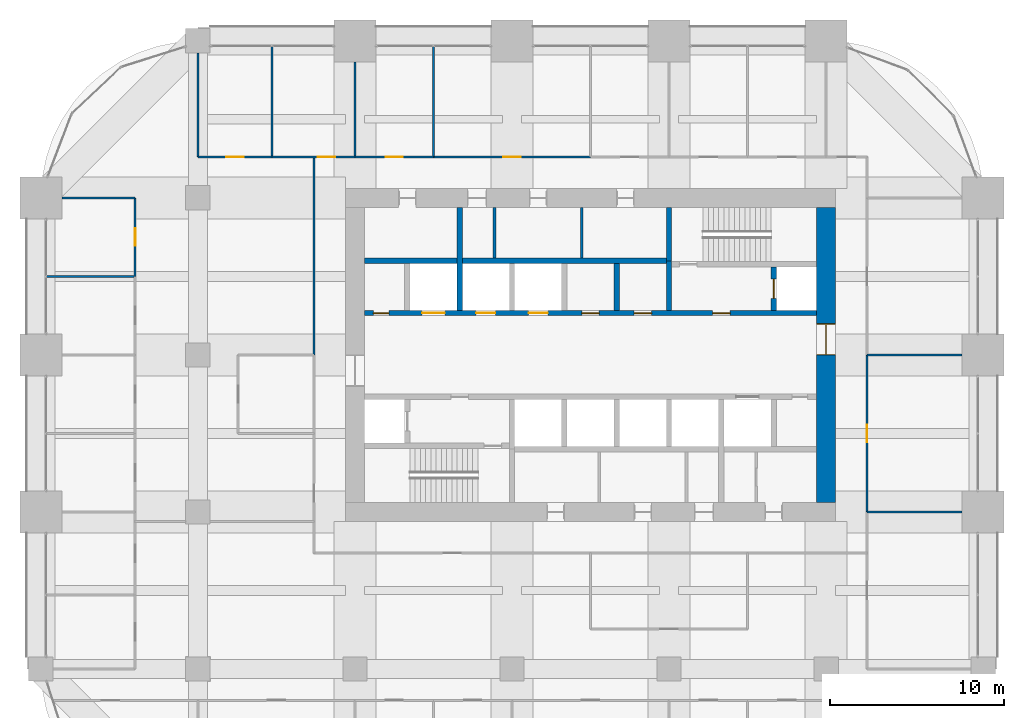
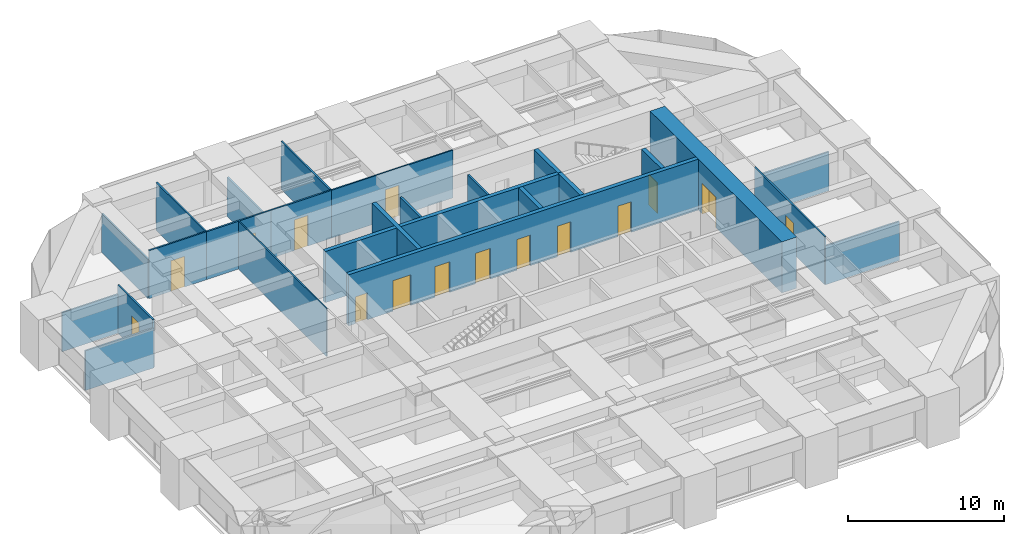
# One storey, part 32 of 35: 25 walls, 15 doors, 15 openings.
"""IFC4 building model written with IfcOpenShell, lengths in metres."""

from ifc_helpers import new_model, si_unit, direction, frame, frame_2d, origin, place, context, subcontext, project, spatial, rectangle, extrude, material, layer, layer_set, type_object, element, fill, save


model = new_model("IFC4")

# Units and contexts
model_context = context("Model", 3, precision=1e-05, world=origin(), true_north=direction((0.0, 1.0)))
body_context = subcontext(model_context, "Body", "Model", "MODEL_VIEW")
ifc_project = project(units=[si_unit("LENGTHUNIT", "METRE"), si_unit("AREAUNIT", "SQUARE_METRE"), si_unit("VOLUMEUNIT", "CUBIC_METRE"), si_unit("PLANEANGLEUNIT", "RADIAN"), si_unit("MASSUNIT", "GRAM", prefix="KILO")], contexts=[model_context])

# Site, building, storey
site_placement = place(None, origin())
site = spatial("IfcSite", under=ifc_project, at=site_placement, CompositionType="ELEMENT")
building_placement = place(site_placement, origin())
building = spatial("IfcBuilding", under=site, at=building_placement, Name="Zorevar Civic Tower", CompositionType="ELEMENT")
storey_placement = place(building_placement, frame((0.0, 0.0, 222.199951171875)))
storey = spatial("IfcBuildingStorey", under=building, at=storey_placement, Name="L54", CompositionType="ELEMENT", Elevation=222.199951171875)

# Wall, opening, door
ifc_material_1 = material(Name="Concrete C50/60", Category="concrete")
ifc_layer_1 = layer(ifc_material_1, 1.10009765625)
ifc_layer_set_1 = layer_set([ifc_layer_1], Name="Core wall 1100")
wall_type_1 = type_object("IfcWallType", Name="Core wall 1100", PredefinedType="SHEAR", material=ifc_layer_set_1)
wall_1_placement = place(storey_placement, frame((45.0, 18.550048828125, 0.0), z_axis=(0.0, 0.0, 1.0), x_axis=(0.0, 1.0, 0.0)))
wall_1 = element("IfcWall", 1, at=wall_1_placement, inside=storey, type_object=wall_type_1, Name="Core wall E L54", PredefinedType="SHEAR", context=body_context, shape_type="SweptSolid", body=[
    extrude(rectangle(XDim=16.89990234375, YDim=1.10009765625, at=frame_2d((8.449951171875, 0.0))), origin(), (0.0, 0.0, 1.0), 4.0),
])
opening_1_placement = place(wall_1_placement, frame((8.449951171875, 0.0, 0.0)))
opening_1 = element("IfcOpeningElement", 2, at=opening_1_placement, cuts=wall_1, Name="Opening L54.02", PredefinedType="OPENING", context=body_context, shape_type="SweptSolid", body=[
    extrude(rectangle(XDim=1.800048828125, YDim=2.39990234375, at=frame_2d((0.89990234375, 1.199951171875))), frame((0.0, 0.56005859375, 0.0), z_axis=(0.0, -1.0, 0.0), x_axis=(1.0, 0.0, 0.0)), (0.0, 0.0, 1.0), 1.1201171875),
])
ifc_material_2 = material(Name="Steel door set", Category="steel")
door_type_1 = type_object("IfcDoorType", Name="Fire door FD2 1800x2400", OperationType="DOUBLE_DOOR_DOUBLE_SWING", PredefinedType="DOOR", material=ifc_material_2)
door_1_placement = place(opening_1_placement, origin())
door_1 = element("IfcDoor", 3, at=door_1_placement, inside=storey, type_object=door_type_1, Name="Door L54 01", OperationType="DOUBLE_DOOR_DOUBLE_SWING", OverallHeight=2.39990234375, OverallWidth=1.800048828125, PredefinedType="DOOR", context=body_context, shape_type="SweptSolid", body=[
    extrude(rectangle(XDim=1.800048828125, YDim=2.39990234375, at=frame_2d((0.89990234375, 1.199951171875))), frame((0.0, 0.030029296875, 0.0), z_axis=(0.0, -1.0, 0.0), x_axis=(1.0, 0.0, 0.0)), (0.0, 0.0, 1.0), 0.06005859375),
    extrude(rectangle(XDim=0.04, YDim=2.39990234375, at=frame_2d((0.02001953125, 1.199951171875))), frame((0.0, 0.5498046875, 0.0), z_axis=(0.0, -1.0, 0.0), x_axis=(1.0, 0.0, 0.0)), (0.0, 0.0, 1.0), 1.099609375),
    extrude(rectangle(XDim=0.04, YDim=2.39990234375, at=frame_2d((1.780029296875, 1.199951171875))), frame((0.0, 0.5498046875, 0.0), z_axis=(0.0, -1.0, 0.0), x_axis=(1.0, 0.0, 0.0)), (0.0, 0.0, 1.0), 1.099609375),
    extrude(rectangle(XDim=1.800048828125, YDim=0.04, at=frame_2d((0.89990234375, 2.3798828125))), frame((0.0, 0.5498046875, 0.0), z_axis=(0.0, -1.0, 0.0), x_axis=(1.0, 0.0, 0.0)), (0.0, 0.0, 1.0), 1.099609375),
])
fill(opening_1, door_1)

ifc_material_3 = material(Name="Laminated glass in black aluminium frame", Category="aluminium")
ifc_layer_2 = layer(ifc_material_3, 0.10009765625)
ifc_layer_set_2 = layer_set([ifc_layer_2], Name="Glazed partition 100")
wall_type_2 = type_object("IfcWallType", Name="Glazed partition 100", PredefinedType="PARTITIONING", material=ifc_layer_set_2)
wall_2_placement = place(storey_placement, frame((22.5, 38.35009765625, 0.0), z_axis=(0.0, 0.0, 1.0), x_axis=(1.0, 0.0, 0.0)))
wall_2 = element("IfcWall", 4, at=wall_2_placement, inside=storey, type_object=wall_type_2, Name="Glazed partition 100 L54", PredefinedType="PARTITIONING", context=body_context, shape_type="SweptSolid", body=[
    extrude(rectangle(XDim=9.0, YDim=0.10009765625, at=frame_2d((4.5, 0.0))), origin(), (0.0, 0.0, 1.0), 3.75),
])
opening_2_placement = place(wall_2_placement, frame((4.0, 0.0, 0.0)))
opening_2 = element("IfcOpeningElement", 5, at=opening_2_placement, cuts=wall_2, Name="Opening L54.32", PredefinedType="OPENING", context=body_context, shape_type="SweptSolid", body=[
    extrude(rectangle(XDim=1.0, YDim=2.39990234375, at=frame_2d((0.5, 1.199951171875))), frame((0.0, 0.06005859375, 0.0), z_axis=(0.0, -1.0, 0.0), x_axis=(1.0, 0.0, 0.0)), (0.0, 0.0, 1.0), 0.1201171875),
])
ifc_material_4 = material(Name="Timber door set", Category="wood")
door_type_2 = type_object("IfcDoorType", Name="Glazed door GD1 1000x2400", OperationType="SINGLE_SWING_LEFT", PredefinedType="DOOR", material=ifc_material_4)
door_2_placement = place(opening_2_placement, origin())
door_2 = element("IfcDoor", 6, at=door_2_placement, inside=storey, type_object=door_type_2, Name="Door L54 D1", OperationType="SINGLE_SWING_RIGHT", OverallHeight=2.39990234375, OverallWidth=1.0, PredefinedType="DOOR", context=body_context, shape_type="SweptSolid", body=[
    extrude(rectangle(XDim=1.0, YDim=2.39990234375, at=frame_2d((0.5, 1.199951171875))), frame((0.0, 0.02001953125, 0.0), z_axis=(0.0, -1.0, 0.0), x_axis=(1.0, 0.0, 0.0)), (0.0, 0.0, 1.0), 0.0400390625),
])
fill(opening_2, door_2)

# Walls
wall_3_placement = place(storey_placement, frame((15.64990234375, 27.0, 0.0), z_axis=(0.0, 0.0, 1.0), x_axis=(0.0, 1.0, 0.0)))
element("IfcWall", 7, at=wall_3_placement, inside=storey, type_object=wall_type_2, Name="Glazed partition 100 L54", PredefinedType="PARTITIONING", context=body_context, shape_type="SweptSolid", body=[
    extrude(rectangle(XDim=11.35009765625, YDim=0.10009765625, at=frame_2d((5.675048828125, 0.0))), origin(), (0.0, 0.0, 1.0), 3.75),
])
ifc_material_5 = material(Name="Concrete C40/50", Category="concrete")
ifc_layer_3 = layer(ifc_material_5, 0.300048828125)
ifc_layer_set_3 = layer_set([ifc_layer_3], Name="Inner core wall 300")
wall_type_3 = type_object("IfcWallType", Name="Inner core wall 300", PredefinedType="SHEAR", material=ifc_layer_set_3)
wall_4_placement = place(storey_placement, frame((36.0, 32.39990234375, 0.0), z_axis=(0.0, 0.0, 1.0), x_axis=(0.0, 1.0, 0.0)))
element("IfcWall", 8, at=wall_4_placement, inside=storey, type_object=wall_type_3, Name="Inner core wall N01 L54", PredefinedType="SHEAR", context=body_context, shape_type="SweptSolid", body=[
    extrude(rectangle(XDim=3.050048828125, YDim=0.300048828125, at=frame_2d((1.52490234375, 0.0))), origin(), (0.0, 0.0, 1.0), 4.0),
])

# Wall, opening, door
wall_5_placement = place(storey_placement, frame((42.0, 29.550048828125, 0.0), z_axis=(0.0, 0.0, 1.0), x_axis=(0.0, 1.0, 0.0)))
wall_5 = element("IfcWall", 9, at=wall_5_placement, inside=storey, type_object=wall_type_3, Name="Inner core wall N02 L54", PredefinedType="SHEAR", context=body_context, shape_type="SweptSolid", body=[
    extrude(rectangle(XDim=2.5, YDim=0.300048828125, at=frame_2d((1.25, 0.0))), origin(), (0.0, 0.0, 1.0), 4.0),
])
opening_3_placement = place(wall_5_placement, frame((0.699951171875, 0.0, 0.0)))
opening_3 = element("IfcOpeningElement", 10, at=opening_3_placement, cuts=wall_5, Name="Opening L54.FL2", PredefinedType="OPENING", context=body_context, shape_type="SweptSolid", body=[
    extrude(rectangle(XDim=1.10009765625, YDim=2.39990234375, at=frame_2d((0.550048828125, 1.199951171875))), frame((0.0, 0.159912109375, 0.0), z_axis=(0.0, -1.0, 0.0), x_axis=(1.0, 0.0, 0.0)), (0.0, 0.0, 1.0), 0.320068359375),
])
ifc_material_6 = material(Name="Steel door set", Category="steel")
door_type_3 = type_object("IfcDoorType", Name="Firefighting lift landing door LD3 1100x2400", OperationType="DOUBLE_DOOR_SLIDING", PredefinedType="DOOR", material=ifc_material_6)
door_3_placement = place(opening_3_placement, origin())
door_3 = element("IfcDoor", 11, at=door_3_placement, inside=storey, type_object=door_type_3, Name="Landing door FL2 L54", OperationType="DOUBLE_DOOR_SLIDING", OverallHeight=2.39990234375, OverallWidth=1.10009765625, PredefinedType="DOOR", context=body_context, shape_type="SweptSolid", body=[
    extrude(rectangle(XDim=1.10009765625, YDim=2.39990234375, at=frame_2d((0.550048828125, 1.199951171875))), frame((0.0, 0.030029296875, 0.0), z_axis=(0.0, -1.0, 0.0), x_axis=(1.0, 0.0, 0.0)), (0.0, 0.0, 1.0), 0.06005859375),
])
fill(opening_3, door_3)

# Wall, openings, doors
wall_6_placement = place(storey_placement, frame((18.550048828125, 29.39990234375, 0.0), z_axis=(0.0, 0.0, 1.0), x_axis=(1.0, 0.0, 0.0)))
wall_6 = element("IfcWall", 12, at=wall_6_placement, inside=storey, type_object=wall_type_3, Name="Inner core wall N03 L54", PredefinedType="SHEAR", context=body_context, shape_type="SweptSolid", body=[
    extrude(rectangle(XDim=25.89990234375, YDim=0.300048828125, at=frame_2d((12.949951171875, 0.0))), origin(), (0.0, 0.0, 1.0), 4.0),
])
opening_4_placement = place(wall_6_placement, frame((19.949951171875, 0.0, 0.0)))
opening_4 = element("IfcOpeningElement", 13, at=opening_4_placement, cuts=wall_6, Name="Opening L54.14", PredefinedType="OPENING", context=body_context, shape_type="SweptSolid", body=[
    extrude(rectangle(XDim=1.0, YDim=2.39990234375, at=frame_2d((0.5, 1.199951171875))), frame((0.0, 0.159912109375, 0.0), z_axis=(0.0, -1.0, 0.0), x_axis=(1.0, 0.0, 0.0)), (0.0, 0.0, 1.0), 0.320068359375),
])
opening_5_placement = place(wall_6_placement, frame((0.5, 0.0, 0.0)))
opening_5 = element("IfcOpeningElement", 14, at=opening_5_placement, cuts=wall_6, Name="Opening L54.16", PredefinedType="OPENING", context=body_context, shape_type="SweptSolid", body=[
    extrude(rectangle(XDim=0.89990234375, YDim=2.10009765625, at=frame_2d((0.449951171875, 1.050048828125))), frame((0.0, 0.159912109375, 0.0), z_axis=(0.0, -1.0, 0.0), x_axis=(1.0, 0.0, 0.0)), (0.0, 0.0, 1.0), 0.320068359375),
])
opening_6_placement = place(wall_6_placement, frame((15.449951171875, 0.0, 0.0)))
opening_6 = element("IfcOpeningElement", 15, at=opening_6_placement, cuts=wall_6, Name="Opening L54.46", PredefinedType="OPENING", context=body_context, shape_type="SweptSolid", body=[
    extrude(rectangle(XDim=1.0, YDim=2.39990234375, at=frame_2d((0.5, 1.199951171875))), frame((0.0, 0.159912109375, 0.0), z_axis=(0.0, -1.0, 0.0), x_axis=(1.0, 0.0, 0.0)), (0.0, 0.0, 1.0), 0.320068359375),
])
opening_7_placement = place(wall_6_placement, frame((12.449951171875, 0.0, 0.0)))
opening_7 = element("IfcOpeningElement", 16, at=opening_7_placement, cuts=wall_6, Name="Opening L54.47", PredefinedType="OPENING", context=body_context, shape_type="SweptSolid", body=[
    extrude(rectangle(XDim=1.0, YDim=2.39990234375, at=frame_2d((0.5, 1.199951171875))), frame((0.0, 0.159912109375, 0.0), z_axis=(0.0, -1.0, 0.0), x_axis=(1.0, 0.0, 0.0)), (0.0, 0.0, 1.0), 0.320068359375),
])
opening_8_placement = place(wall_6_placement, frame((9.39990234375, 0.0, 0.0)))
opening_8 = element("IfcOpeningElement", 17, at=opening_8_placement, cuts=wall_6, Name="Opening L54.LH1", PredefinedType="OPENING", context=body_context, shape_type="SweptSolid", body=[
    extrude(rectangle(XDim=1.10009765625, YDim=2.39990234375, at=frame_2d((0.550048828125, 1.199951171875))), frame((0.0, 0.159912109375, 0.0), z_axis=(0.0, -1.0, 0.0), x_axis=(1.0, 0.0, 0.0)), (0.0, 0.0, 1.0), 0.320068359375),
])
opening_9_placement = place(wall_6_placement, frame((6.39990234375, 0.0, 0.0)))
opening_9 = element("IfcOpeningElement", 18, at=opening_9_placement, cuts=wall_6, Name="Opening L54.LH2", PredefinedType="OPENING", context=body_context, shape_type="SweptSolid", body=[
    extrude(rectangle(XDim=1.10009765625, YDim=2.39990234375, at=frame_2d((0.550048828125, 1.199951171875))), frame((0.0, 0.159912109375, 0.0), z_axis=(0.0, -1.0, 0.0), x_axis=(1.0, 0.0, 0.0)), (0.0, 0.0, 1.0), 0.320068359375),
])
opening_10_placement = place(wall_6_placement, frame((3.300048828125, 0.0, 0.0)))
opening_10 = element("IfcOpeningElement", 19, at=opening_10_placement, cuts=wall_6, Name="Opening L54.SL2", PredefinedType="OPENING", context=body_context, shape_type="SweptSolid", body=[
    extrude(rectangle(XDim=1.300048828125, YDim=2.39990234375, at=frame_2d((0.64990234375, 1.199951171875))), frame((0.0, 0.159912109375, 0.0), z_axis=(0.0, -1.0, 0.0), x_axis=(1.0, 0.0, 0.0)), (0.0, 0.0, 1.0), 0.320068359375),
])
ifc_material_7 = material(Name="Steel door set", Category="steel")
door_type_4 = type_object("IfcDoorType", Name="Fire door FD1 1000x2400", OperationType="SINGLE_SWING_LEFT", PredefinedType="DOOR", material=ifc_material_7)
door_4_placement = place(opening_4_placement, origin())
door_4 = element("IfcDoor", 20, at=door_4_placement, inside=storey, type_object=door_type_4, Name="Door L54 13", OperationType="SINGLE_SWING_RIGHT", OverallHeight=2.39990234375, OverallWidth=1.0, PredefinedType="DOOR", context=body_context, shape_type="SweptSolid", body=[
    extrude(rectangle(XDim=1.0, YDim=2.39990234375, at=frame_2d((0.5, 1.199951171875))), frame((0.0, 0.030029296875, 0.0), z_axis=(0.0, -1.0, 0.0), x_axis=(1.0, 0.0, 0.0)), (0.0, 0.0, 1.0), 0.06005859375),
])
fill(opening_4, door_4)
door_5_placement = place(opening_6_placement, origin())
door_5 = element("IfcDoor", 21, at=door_5_placement, inside=storey, type_object=door_type_4, Name="Door L54 LM1 shaft room", OperationType="SINGLE_SWING_LEFT", OverallHeight=2.39990234375, OverallWidth=1.0, PredefinedType="DOOR", context=body_context, shape_type="SweptSolid", body=[
    extrude(rectangle(XDim=1.0, YDim=2.39990234375, at=frame_2d((0.5, 1.199951171875))), frame((0.0, 0.030029296875, 0.0), z_axis=(0.0, -1.0, 0.0), x_axis=(1.0, 0.0, 0.0)), (0.0, 0.0, 1.0), 0.06005859375),
])
fill(opening_6, door_5)
door_6_placement = place(opening_7_placement, origin())
door_6 = element("IfcDoor", 22, at=door_6_placement, inside=storey, type_object=door_type_4, Name="Door L54 LM2 shaft room", OperationType="SINGLE_SWING_LEFT", OverallHeight=2.39990234375, OverallWidth=1.0, PredefinedType="DOOR", context=body_context, shape_type="SweptSolid", body=[
    extrude(rectangle(XDim=1.0, YDim=2.39990234375, at=frame_2d((0.5, 1.199951171875))), frame((0.0, 0.030029296875, 0.0), z_axis=(0.0, -1.0, 0.0), x_axis=(1.0, 0.0, 0.0)), (0.0, 0.0, 1.0), 0.06005859375),
])
fill(opening_7, door_6)
ifc_material_8 = material(Name="Steel door set", Category="steel")
door_type_5 = type_object("IfcDoorType", Name="Landing door LD1 1100x2400", OperationType="DOUBLE_DOOR_SLIDING", PredefinedType="DOOR", material=ifc_material_8)
door_7_placement = place(opening_8_placement, origin())
door_7 = element("IfcDoor", 23, at=door_7_placement, inside=storey, type_object=door_type_5, Name="Landing door LH1 L54", OperationType="DOUBLE_DOOR_SLIDING", OverallHeight=2.39990234375, OverallWidth=1.10009765625, PredefinedType="DOOR", context=body_context, shape_type="SweptSolid", body=[
    extrude(rectangle(XDim=1.10009765625, YDim=2.39990234375, at=frame_2d((0.550048828125, 1.199951171875))), frame((0.0, 0.02001953125, 0.0), z_axis=(0.0, -1.0, 0.0), x_axis=(1.0, 0.0, 0.0)), (0.0, 0.0, 1.0), 0.0400390625),
])
fill(opening_8, door_7)
door_8_placement = place(opening_9_placement, origin())
door_8 = element("IfcDoor", 24, at=door_8_placement, inside=storey, type_object=door_type_5, Name="Landing door LH2 L54", OperationType="DOUBLE_DOOR_SLIDING", OverallHeight=2.39990234375, OverallWidth=1.10009765625, PredefinedType="DOOR", context=body_context, shape_type="SweptSolid", body=[
    extrude(rectangle(XDim=1.10009765625, YDim=2.39990234375, at=frame_2d((0.550048828125, 1.199951171875))), frame((0.0, 0.02001953125, 0.0), z_axis=(0.0, -1.0, 0.0), x_axis=(1.0, 0.0, 0.0)), (0.0, 0.0, 1.0), 0.0400390625),
])
fill(opening_9, door_8)
ifc_material_9 = material(Name="Steel door set", Category="steel")
door_type_6 = type_object("IfcDoorType", Name="Landing door LD2 1300x2400", OperationType="DOUBLE_DOOR_SLIDING", PredefinedType="DOOR", material=ifc_material_9)
door_9_placement = place(opening_10_placement, origin())
door_9 = element("IfcDoor", 25, at=door_9_placement, inside=storey, type_object=door_type_6, Name="Landing door SL2 L54", OperationType="DOUBLE_DOOR_SLIDING", OverallHeight=2.39990234375, OverallWidth=1.300048828125, PredefinedType="DOOR", context=body_context, shape_type="SweptSolid", body=[
    extrude(rectangle(XDim=1.300048828125, YDim=2.39990234375, at=frame_2d((0.64990234375, 1.199951171875))), frame((0.0, 0.02001953125, 0.0), z_axis=(0.0, -1.0, 0.0), x_axis=(1.0, 0.0, 0.0)), (0.0, 0.0, 1.0), 0.0400390625),
])
fill(opening_10, door_9)
ifc_material_10 = material(Name="Steel door set", Category="steel")
door_type_7 = type_object("IfcDoorType", Name="Riser door RD1 900x2100", OperationType="SINGLE_SWING_LEFT", PredefinedType="DOOR", material=ifc_material_10)
door_10_placement = place(opening_5_placement, origin())
door_10 = element("IfcDoor", 26, at=door_10_placement, inside=storey, type_object=door_type_7, Name="Door L54 15", OperationType="SINGLE_SWING_RIGHT", OverallHeight=2.10009765625, OverallWidth=0.89990234375, PredefinedType="DOOR", context=body_context, shape_type="SweptSolid", body=[
    extrude(rectangle(XDim=0.89990234375, YDim=2.10009765625, at=frame_2d((0.449951171875, 1.050048828125))), frame((0.0, 0.030029296875, 0.0), z_axis=(0.0, -1.0, 0.0), x_axis=(1.0, 0.0, 0.0)), (0.0, 0.0, 1.0), 0.06005859375),
])
fill(opening_5, door_10)

# Walls
wall_7_placement = place(storey_placement, frame((18.550048828125, 32.39990234375, 0.0), z_axis=(0.0, 0.0, 1.0), x_axis=(1.0, 0.0, 0.0)))
element("IfcWall", 27, at=wall_7_placement, inside=storey, type_object=wall_type_3, Name="Inner core wall N04 L54", PredefinedType="SHEAR", context=body_context, shape_type="SweptSolid", body=[
    extrude(rectangle(XDim=17.300048828125, YDim=0.300048828125, at=frame_2d((8.64990234375, 0.0))), origin(), (0.0, 0.0, 1.0), 4.0),
])
wall_8_placement = place(storey_placement, frame((33.0, 29.550048828125, 0.0), z_axis=(0.0, 0.0, 1.0), x_axis=(0.0, 1.0, 0.0)))
element("IfcWall", 28, at=wall_8_placement, inside=storey, type_object=wall_type_3, Name="Inner core wall N05 L54", PredefinedType="SHEAR", context=body_context, shape_type="SweptSolid", body=[
    extrude(rectangle(XDim=2.699951171875, YDim=0.300048828125, at=frame_2d((1.35009765625, 0.0))), origin(), (0.0, 0.0, 1.0), 4.0),
])
wall_9_placement = place(storey_placement, frame((24.0, 29.550048828125, 0.0), z_axis=(0.0, 0.0, 1.0), x_axis=(0.0, 1.0, 0.0)))
element("IfcWall", 29, at=wall_9_placement, inside=storey, type_object=wall_type_3, Name="Inner core wall N08 L54", PredefinedType="SHEAR", context=body_context, shape_type="SweptSolid", body=[
    extrude(rectangle(XDim=5.89990234375, YDim=0.300048828125, at=frame_2d((2.949951171875, 0.0))), origin(), (0.0, 0.0, 1.0), 4.0),
])
wall_10_placement = place(storey_placement, frame((36.0, 29.550048828125, 0.0), z_axis=(0.0, 0.0, 1.0), x_axis=(0.0, 1.0, 0.0)))
element("IfcWall", 30, at=wall_10_placement, inside=storey, type_object=wall_type_3, Name="Inner core wall N10 L54", PredefinedType="SHEAR", context=body_context, shape_type="SweptSolid", body=[
    extrude(rectangle(XDim=2.849853515625, YDim=0.300048828125, at=frame_2d((1.4248046875, 0.0))), origin(), (0.0, 0.0, 1.0), 4.0),
])
ifc_material_11 = material(Name="Gypsum board on steel studs", Category="steel")
ifc_layer_4 = layer(ifc_material_11, 0.1201171875)
ifc_layer_set_4 = layer_set([ifc_layer_4], Name="Partition 120")
wall_type_4 = type_object("IfcWallType", Name="Partition 120", PredefinedType="PARTITIONING", material=ifc_layer_set_4)
for number, where, z_axis, x_axis, name in (
    (31, (47.35009765625, 18.0, 0.0), (0.0, 0.0, 1.0), (1.0, 0.0, 0.0), "Partition 120 L54"),
    (32, (47.35009765625, 27.0, 0.0), (0.0, 0.0, 1.0), (1.0, 0.0, 0.0), "Partition 120 L54"),
):
    element("IfcWall", number, at=place(storey_placement, frame(where, z_axis=z_axis, x_axis=x_axis)), inside=storey, type_object=wall_type_4, Name=name, PredefinedType="PARTITIONING", context=body_context, shape_type="SweptSolid", body=[
        extrude(rectangle(XDim=5.449951171875, YDim=0.1201171875, at=frame_2d((2.72509765625, 0.0))), origin(), (0.0, 0.0, 1.0), 3.050048828125),
    ])
wall_11_placement = place(storey_placement, frame((0.31005859375, 31.5, 0.0), z_axis=(0.0, 0.0, 1.0), x_axis=(1.0, 0.0, 0.0)))
element("IfcWall", 33, at=wall_11_placement, inside=storey, type_object=wall_type_4, Name="Partition 120 L54", PredefinedType="PARTITIONING", context=body_context, shape_type="SweptSolid", body=[
    extrude(rectangle(XDim=5.08984375, YDim=0.1201171875, at=frame_2d((2.544921875, 0.0))), origin(), (0.0, 0.0, 1.0), 3.10009765625),
])
wall_12_placement = place(storey_placement, frame((1.199951171875, 36.0, 0.0), z_axis=(0.0, 0.0, 1.0), x_axis=(1.0, 0.0, 0.0)))
element("IfcWall", 34, at=wall_12_placement, inside=storey, type_object=wall_type_4, Name="Partition 120 L54", PredefinedType="PARTITIONING", context=body_context, shape_type="SweptSolid", body=[
    extrude(rectangle(XDim=4.199951171875, YDim=0.1201171875, at=frame_2d((2.10009765625, 0.0))), origin(), (0.0, 0.0, 1.0), 3.050048828125),
])

# Wall, opening, door
wall_13_placement = place(storey_placement, frame((9.0, 38.35009765625, 0.0), z_axis=(0.0, 0.0, 1.0), x_axis=(1.0, 0.0, 0.0)))
wall_13 = element("IfcWall", 35, at=wall_13_placement, inside=storey, type_object=wall_type_4, Name="Partition 120 L54", PredefinedType="PARTITIONING", context=body_context, shape_type="SweptSolid", body=[
    extrude(rectangle(XDim=4.25, YDim=0.1201171875, at=frame_2d((2.125, 0.0))), origin(), (0.0, 0.0, 1.0), 3.75),
])
opening_11_placement = place(wall_13_placement, frame((1.625, 0.0, 0.0)))
opening_11 = element("IfcOpeningElement", 36, at=opening_11_placement, cuts=wall_13, Name="Opening L54.26", PredefinedType="OPENING", context=body_context, shape_type="SweptSolid", body=[
    extrude(rectangle(XDim=1.0, YDim=2.39990234375, at=frame_2d((0.5, 1.199951171875))), frame((0.0, 0.070068359375, 0.0), z_axis=(0.0, -1.0, 0.0), x_axis=(1.0, 0.0, 0.0)), (0.0, 0.0, 1.0), 0.14013671875),
])
ifc_material_12 = material(Name="Timber door set", Category="wood")
door_type_8 = type_object("IfcDoorType", Name="Door D1 1000x2400", OperationType="SINGLE_SWING_LEFT", PredefinedType="DOOR", material=ifc_material_12)
door_11_placement = place(opening_11_placement, origin())
door_11 = element("IfcDoor", 37, at=door_11_placement, inside=storey, type_object=door_type_8, Name="Door L54 D1", OperationType="SINGLE_SWING_RIGHT", OverallHeight=2.39990234375, OverallWidth=1.0, PredefinedType="DOOR", context=body_context, shape_type="SweptSolid", body=[
    extrude(rectangle(XDim=1.0, YDim=2.39990234375, at=frame_2d((0.5, 1.199951171875))), frame((0.0, 0.02490234375, 0.0), z_axis=(0.0, -1.0, 0.0), x_axis=(1.0, 0.0, 0.0)), (0.0, 0.0, 1.0), 0.050048828125),
])
fill(opening_11, door_11)

wall_14_placement = place(storey_placement, frame((13.25, 38.35009765625, 0.0), z_axis=(0.0, 0.0, 1.0), x_axis=(1.0, 0.0, 0.0)))
wall_14 = element("IfcWall", 38, at=wall_14_placement, inside=storey, type_object=wall_type_4, Name="Partition 120 L54", PredefinedType="PARTITIONING", context=body_context, shape_type="SweptSolid", body=[
    extrude(rectangle(XDim=4.75, YDim=0.1201171875, at=frame_2d((2.375, 0.0))), origin(), (0.0, 0.0, 1.0), 3.75),
])
opening_12_placement = place(wall_14_placement, frame((2.625, 0.0, 0.0)))
opening_12 = element("IfcOpeningElement", 39, at=opening_12_placement, cuts=wall_14, Name="Opening L54.27", PredefinedType="OPENING", context=body_context, shape_type="SweptSolid", body=[
    extrude(rectangle(XDim=1.0, YDim=2.39990234375, at=frame_2d((0.5, 1.199951171875))), frame((0.0, 0.070068359375, 0.0), z_axis=(0.0, -1.0, 0.0), x_axis=(1.0, 0.0, 0.0)), (0.0, 0.0, 1.0), 0.14013671875),
])
door_12_placement = place(opening_12_placement, origin())
door_12 = element("IfcDoor", 40, at=door_12_placement, inside=storey, type_object=door_type_8, Name="Door L54 D1", OperationType="SINGLE_SWING_LEFT", OverallHeight=2.39990234375, OverallWidth=1.0, PredefinedType="DOOR", context=body_context, shape_type="SweptSolid", body=[
    extrude(rectangle(XDim=1.0, YDim=2.39990234375, at=frame_2d((0.5, 1.199951171875))), frame((0.0, 0.02490234375, 0.0), z_axis=(0.0, -1.0, 0.0), x_axis=(1.0, 0.0, 0.0)), (0.0, 0.0, 1.0), 0.050048828125),
])
fill(opening_12, door_12)

wall_15_placement = place(storey_placement, frame((18.0, 38.35009765625, 0.0), z_axis=(0.0, 0.0, 1.0), x_axis=(1.0, 0.0, 0.0)))
wall_15 = element("IfcWall", 41, at=wall_15_placement, inside=storey, type_object=wall_type_4, Name="Partition 120 L54", PredefinedType="PARTITIONING", context=body_context, shape_type="SweptSolid", body=[
    extrude(rectangle(XDim=4.5, YDim=0.1201171875, at=frame_2d((2.25, 0.0))), origin(), (0.0, 0.0, 1.0), 3.75),
])
opening_13_placement = place(wall_15_placement, frame((1.75, 0.0, 0.0)))
opening_13 = element("IfcOpeningElement", 42, at=opening_13_placement, cuts=wall_15, Name="Opening L54.28", PredefinedType="OPENING", context=body_context, shape_type="SweptSolid", body=[
    extrude(rectangle(XDim=1.0, YDim=2.39990234375, at=frame_2d((0.5, 1.199951171875))), frame((0.0, 0.070068359375, 0.0), z_axis=(0.0, -1.0, 0.0), x_axis=(1.0, 0.0, 0.0)), (0.0, 0.0, 1.0), 0.14013671875),
])
door_13_placement = place(opening_13_placement, origin())
door_13 = element("IfcDoor", 43, at=door_13_placement, inside=storey, type_object=door_type_8, Name="Door L54 D1", OperationType="SINGLE_SWING_RIGHT", OverallHeight=2.39990234375, OverallWidth=1.0, PredefinedType="DOOR", context=body_context, shape_type="SweptSolid", body=[
    extrude(rectangle(XDim=1.0, YDim=2.39990234375, at=frame_2d((0.5, 1.199951171875))), frame((0.0, 0.02490234375, 0.0), z_axis=(0.0, -1.0, 0.0), x_axis=(1.0, 0.0, 0.0)), (0.0, 0.0, 1.0), 0.050048828125),
])
fill(opening_13, door_13)

wall_16_placement = place(storey_placement, frame((5.39990234375, 31.5, 0.0), z_axis=(0.0, 0.0, 1.0), x_axis=(0.0, 1.0, 0.0)))
wall_16 = element("IfcWall", 44, at=wall_16_placement, inside=storey, type_object=wall_type_4, Name="Partition 120 L54", PredefinedType="PARTITIONING", context=body_context, shape_type="SweptSolid", body=[
    extrude(rectangle(XDim=4.5, YDim=0.1201171875, at=frame_2d((2.25, 0.0))), origin(), (0.0, 0.0, 1.0), 3.75),
])
opening_14_placement = place(wall_16_placement, frame((1.75, 0.0, 0.0)))
opening_14 = element("IfcOpeningElement", 45, at=opening_14_placement, cuts=wall_16, Name="Opening L54.39", PredefinedType="OPENING", context=body_context, shape_type="SweptSolid", body=[
    extrude(rectangle(XDim=1.0, YDim=2.39990234375, at=frame_2d((0.5, 1.199951171875))), frame((0.0, 0.070068359375, 0.0), z_axis=(0.0, -1.0, 0.0), x_axis=(1.0, 0.0, 0.0)), (0.0, 0.0, 1.0), 0.14013671875),
])
door_14_placement = place(opening_14_placement, origin())
door_14 = element("IfcDoor", 46, at=door_14_placement, inside=storey, type_object=door_type_8, Name="Door L54 D1", OperationType="SINGLE_SWING_RIGHT", OverallHeight=2.39990234375, OverallWidth=1.0, PredefinedType="DOOR", context=body_context, shape_type="SweptSolid", body=[
    extrude(rectangle(XDim=1.0, YDim=2.39990234375, at=frame_2d((0.5, 1.199951171875))), frame((0.0, 0.02490234375, 0.0), z_axis=(0.0, -1.0, 0.0), x_axis=(1.0, 0.0, 0.0)), (0.0, 0.0, 1.0), 0.050048828125),
])
fill(opening_14, door_14)

# Walls
wall_17_placement = place(storey_placement, frame((9.0, 38.35009765625, 0.0), z_axis=(0.0, 0.0, 1.0), x_axis=(0.0, 1.0, 0.0)))
element("IfcWall", 47, at=wall_17_placement, inside=storey, type_object=wall_type_4, Name="Partition 120 L54", PredefinedType="PARTITIONING", context=body_context, shape_type="SweptSolid", body=[
    extrude(rectangle(XDim=5.949951171875, YDim=0.1201171875, at=frame_2d((2.97509765625, 0.0))), origin(), (0.0, 0.0, 1.0), 3.050048828125),
])
wall_18_placement = place(storey_placement, frame((13.25, 38.35009765625, 0.0), z_axis=(0.0, 0.0, 1.0), x_axis=(0.0, 1.0, 0.0)))
element("IfcWall", 48, at=wall_18_placement, inside=storey, type_object=wall_type_4, Name="Partition 120 L54", PredefinedType="PARTITIONING", context=body_context, shape_type="SweptSolid", body=[
    extrude(rectangle(XDim=6.33984375, YDim=0.1201171875, at=frame_2d((3.169921875, 0.0))), origin(), (0.0, 0.0, 1.0), 3.75),
])
wall_19_placement = place(storey_placement, frame((18.0, 38.35009765625, 0.0), z_axis=(0.0, 0.0, 1.0), x_axis=(0.0, 1.0, 0.0)))
element("IfcWall", 49, at=wall_19_placement, inside=storey, type_object=wall_type_4, Name="Partition 120 L54", PredefinedType="PARTITIONING", context=body_context, shape_type="SweptSolid", body=[
    extrude(rectangle(XDim=5.449951171875, YDim=0.1201171875, at=frame_2d((2.72509765625, 0.0))), origin(), (0.0, 0.0, 1.0), 3.050048828125),
])
wall_20_placement = place(storey_placement, frame((22.5, 38.35009765625, 0.0), z_axis=(0.0, 0.0, 1.0), x_axis=(0.0, 1.0, 0.0)))
element("IfcWall", 50, at=wall_20_placement, inside=storey, type_object=wall_type_4, Name="Partition 120 L54", PredefinedType="PARTITIONING", context=body_context, shape_type="SweptSolid", body=[
    extrude(rectangle(XDim=6.33984375, YDim=0.1201171875, at=frame_2d((3.169921875, 0.0))), origin(), (0.0, 0.0, 1.0), 3.75),
])

# Wall, opening, door
wall_21_placement = place(storey_placement, frame((47.35009765625, 18.0, 0.0), z_axis=(0.0, 0.0, 1.0), x_axis=(0.0, 1.0, 0.0)))
wall_21 = element("IfcWall", 51, at=wall_21_placement, inside=storey, type_object=wall_type_4, Name="Partition 120 L54", PredefinedType="PARTITIONING", context=body_context, shape_type="SweptSolid", body=[
    extrude(rectangle(XDim=9.0, YDim=0.1201171875, at=frame_2d((4.5, 0.0))), origin(), (0.0, 0.0, 1.0), 3.75),
])
opening_15_placement = place(wall_21_placement, frame((4.0, 0.0, 0.0)))
opening_15 = element("IfcOpeningElement", 52, at=opening_15_placement, cuts=wall_21, Name="Opening L54.43", PredefinedType="OPENING", context=body_context, shape_type="SweptSolid", body=[
    extrude(rectangle(XDim=1.0, YDim=2.39990234375, at=frame_2d((0.5, 1.199951171875))), frame((0.0, 0.070068359375, 0.0), z_axis=(0.0, -1.0, 0.0), x_axis=(1.0, 0.0, 0.0)), (0.0, 0.0, 1.0), 0.14013671875),
])
door_15_placement = place(opening_15_placement, origin())
door_15 = element("IfcDoor", 53, at=door_15_placement, inside=storey, type_object=door_type_8, Name="Door L54 D1", OperationType="SINGLE_SWING_RIGHT", OverallHeight=2.39990234375, OverallWidth=1.0, PredefinedType="DOOR", context=body_context, shape_type="SweptSolid", body=[
    extrude(rectangle(XDim=1.0, YDim=2.39990234375, at=frame_2d((0.5, 1.199951171875))), frame((0.0, 0.02490234375, 0.0), z_axis=(0.0, -1.0, 0.0), x_axis=(1.0, 0.0, 0.0)), (0.0, 0.0, 1.0), 0.050048828125),
])
fill(opening_15, door_15)

# Walls
ifc_material_13 = material(Name="Gypsum board on steel studs, moisture resistant", Category="steel")
ifc_layer_5 = layer(ifc_material_13, 0.14990234375)
ifc_layer_set_5 = layer_set([ifc_layer_5], Name="WC partition 150")
wall_type_5 = type_object("IfcWallType", Name="WC partition 150", PredefinedType="PARTITIONING", material=ifc_layer_set_5)
for number, where, z_axis, x_axis, name in (
    (54, (31.0, 32.550048828125, 0.0), (0.0, 0.0, 1.0), (0.0, 1.0, 0.0), "WC partition L54"),
    (55, (26.0, 32.550048828125, 0.0), (0.0, 0.0, 1.0), (0.0, 1.0, 0.0), "WC partition L54"),
):
    element("IfcWall", number, at=place(storey_placement, frame(where, z_axis=z_axis, x_axis=x_axis)), inside=storey, type_object=wall_type_5, Name=name, PredefinedType="PARTITIONING", context=body_context, shape_type="SweptSolid", body=[
        extrude(rectangle(XDim=2.89990234375, YDim=0.14990234375, at=frame_2d((1.449951171875, 0.0))), origin(), (0.0, 0.0, 1.0), 3.75),
    ])

save(model, "model.ifc")
